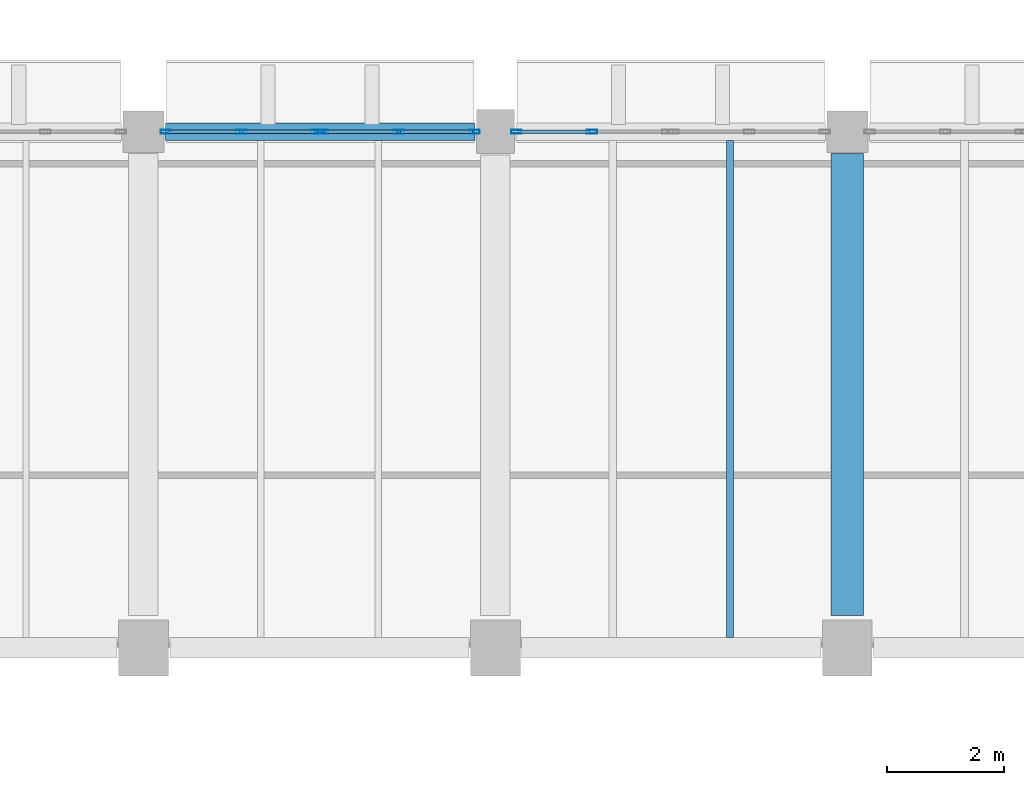
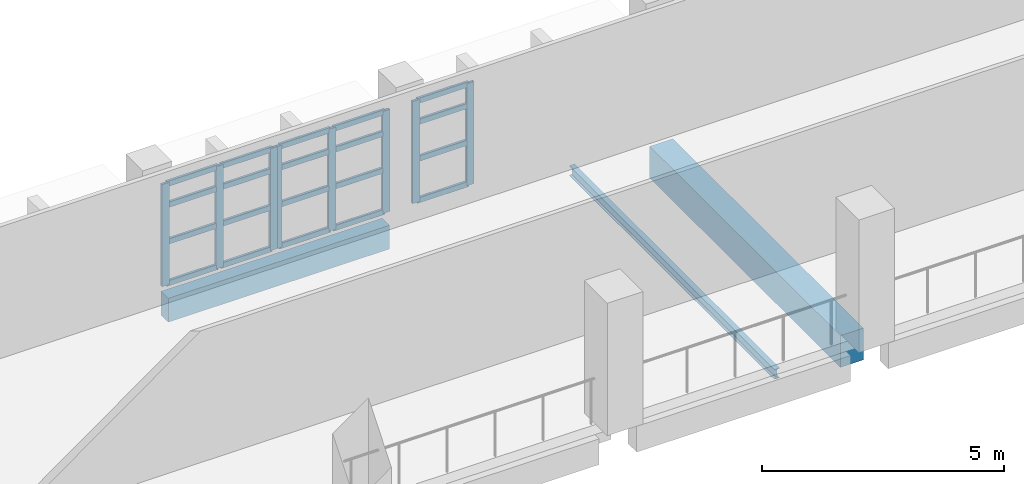
# One storey, part 38 of 75: 28 members, 3 beams, 3 elements without a shape of their own.
"""IFC4 building model written with IfcOpenShell, lengths in metres."""

from ifc_helpers import new_model, si_unit, direction, frame, origin, origin_2d, place, context, subcontext, project, spatial, rectangle, hollow_rectangle, i_section, extrude, material, material_profile, profile_set, type_object, element, aggregate, save


model = new_model("IFC4")

# Units and contexts
model_context = context("Model", 3, precision=1e-05, world=origin(), true_north=direction((0.0, 1.0)))
body_context = subcontext(model_context, "Body", "Model", "MODEL_VIEW")
ifc_project = project(units=[si_unit("LENGTHUNIT", "METRE"), si_unit("AREAUNIT", "SQUARE_METRE"), si_unit("VOLUMEUNIT", "CUBIC_METRE"), si_unit("PLANEANGLEUNIT", "RADIAN"), si_unit("MASSUNIT", "GRAM", prefix="KILO")], contexts=[model_context])

# Site, building, storey
site_placement = place(None, origin())
site = spatial("IfcSite", under=ifc_project, at=site_placement, CompositionType="ELEMENT")
building_placement = place(site_placement, origin())
building = spatial("IfcBuilding", under=site, at=building_placement, Name="Varnakota Cinema and Media Centre", CompositionType="ELEMENT")
storey_placement = place(building_placement, frame((0.0, 0.0, 8.39990234375)))
storey = spatial("IfcBuildingStorey", under=building, at=storey_placement, Name="L02", CompositionType="ELEMENT", Elevation=8.39990234375)

# Beams
ifc_material_1 = material(Name="Concrete M35", Category="concrete")
ifc_material_profile_1 = material_profile(ifc_material_1, rectangle(XDim=0.550048828125, YDim=0.800048828125, at=origin_2d()), Name="RCB 550x800")
ifc_profile_set_1 = profile_set([ifc_material_profile_1], Name="Concrete M35")
beam_type_1 = type_object("IfcBeamType", Name="BM-RC-550x800", PredefinedType="BEAM", material=ifc_profile_set_1)
beam_1_placement = place(storey_placement, frame((123.0, 35.75, -0.64990234375), z_axis=(0.0, 1.0, 0.0), x_axis=(-1.0, 0.0, 0.0)))
element("IfcBeam", 1, at=beam_1_placement, inside=storey, type_object=beam_type_1, Name="L02 girder T/5-6", PredefinedType="BEAM", context=body_context, shape_type="SweptSolid", body=[
    extrude(rectangle(XDim=0.550048828125, YDim=0.800048828125, at=origin_2d()), origin(), (0.0, 0.0, 1.0), 7.875),
])
ifc_material_2 = material(Name="Concrete M35", Category="concrete")
ifc_material_profile_2 = material_profile(ifc_material_2, rectangle(XDim=0.300048828125, YDim=0.60009765625, at=origin_2d()), Name="RCB 300x600")
ifc_profile_set_2 = profile_set([ifc_material_profile_2], Name="Concrete M35")
beam_type_2 = type_object("IfcBeamType", Name="BM-SP-300x600", PredefinedType="SPANDREL", material=ifc_profile_set_2)
beam_2_placement = place(storey_placement, frame((111.375, 44.0, -0.5498046875), z_axis=(1.0, 0.0, 0.0), x_axis=(0.0, 1.0, 0.0)))
element("IfcBeam", 2, at=beam_2_placement, inside=storey, type_object=beam_type_2, Name="L02 girder R-S/6", PredefinedType="SPANDREL", context=body_context, shape_type="SweptSolid", body=[
    extrude(rectangle(XDim=0.300048828125, YDim=0.60009765625, at=origin_2d()), origin(), (0.0, 0.0, 1.0), 5.27490234375),
])
ifc_material_3 = material(Name="Structural steel Grade 350 (E350)", Category="steel")
ifc_material_profile_3 = material_profile(ifc_material_3, i_section(OverallWidth=0.125, OverallDepth=0.25, WebThickness=0.0068359375, FlangeThickness=0.012451171875, FilletRadius=0.012939453125, at=origin_2d()), Name="ISMB 250")
ifc_profile_set_3 = profile_set([ifc_material_profile_3], Name="Structural steel Grade 350 (E350)")
beam_type_3 = type_object("IfcBeamType", Name="BM-ST-ISMB250", PredefinedType="JOIST", material=ifc_profile_set_3)
beam_3_placement = place(storey_placement, frame((121.0, 35.375, -0.375), z_axis=(0.0, 1.0, 0.0), x_axis=(-1.0, 0.0, 0.0)))
element("IfcBeam", 3, at=beam_3_placement, inside=storey, type_object=beam_type_3, Name="L02 steel joist S-T/5-6 #2", PredefinedType="JOIST", context=body_context, shape_type="SweptSolid", body=[
    extrude(i_section(OverallWidth=0.125, OverallDepth=0.25, WebThickness=0.0068359375, FlangeThickness=0.012451171875, FilletRadius=0.012939453125, at=origin_2d()), origin(), (0.0, 0.0, 1.0), 8.47509765625),
])

# Curtain wall, members
ifc_material_4 = material(Name="Thermally broken anodised aluminium AW-6063", Category="aluminium")
curtain_wall_type = type_object("IfcCurtainWallType", Name="CW-STD-264x258", PredefinedType="USERDEFINED", material=ifc_material_4)
curtain_wall_1_placement = place(storey_placement, origin())
curtain_wall_1 = element("IfcCurtainWall", 4, at=curtain_wall_1_placement, inside=storey, type_object=curtain_wall_type, Name="L02 curtain wall CW-L02-V1-N-07-1", ObjectType="UNITISED CURTAIN WALL", PredefinedType="USERDEFINED")
ifc_material_5 = material(Name="Thermally broken anodised aluminium AW-6063", Category="aluminium")
ifc_material_profile_4 = material_profile(ifc_material_5, hollow_rectangle(XDim=0.06494140625, YDim=0.179931640625, WallThickness=0.00390625, InnerFilletRadius=0.00390625, OuterFilletRadius=0.008056640625, at=origin_2d()), Name="AL-MULLION 180x65x4")
ifc_profile_set_4 = profile_set([ifc_material_profile_4], Name="Thermally broken anodised aluminium AW-6063")
member_type_1 = type_object("IfcMemberType", Name="CWM-AL-180", PredefinedType="MULLION", material=ifc_profile_set_4)
member_1_placement = place(storey_placement, frame((111.382568359375, 44.0, 0.0), z_axis=(0.0, 0.0, 1.0), x_axis=(0.0, 1.0, 0.0)))
member_1 = element("IfcMember", 5, at=member_1_placement, type_object=member_type_1, Name="CW29 mullion 1", PredefinedType="MULLION", context=body_context, shape_type="SweptSolid", body=[
    extrude(hollow_rectangle(XDim=0.06494140625, YDim=0.179931640625, WallThickness=0.00390625, InnerFilletRadius=0.00390625, OuterFilletRadius=0.008056640625, at=origin_2d()), origin(), (0.0, 0.0, 1.0), 2.5751953125),
])
member_2_placement = place(storey_placement, frame((112.671142578125, 44.0, 0.0), z_axis=(0.0, 0.0, 1.0), x_axis=(0.0, 1.0, 0.0)))
member_2 = element("IfcMember", 6, at=member_2_placement, type_object=member_type_1, Name="CW29 mullion 2", PredefinedType="MULLION", context=body_context, shape_type="SweptSolid", body=[
    extrude(hollow_rectangle(XDim=0.06494140625, YDim=0.179931640625, WallThickness=0.00390625, InnerFilletRadius=0.00390625, OuterFilletRadius=0.008056640625, at=origin_2d()), origin(), (0.0, 0.0, 1.0), 2.5751953125),
])
member_3_placement = place(storey_placement, frame((113.9599609375, 44.0, 0.0), z_axis=(0.0, 0.0, 1.0), x_axis=(0.0, 1.0, 0.0)))
member_3 = element("IfcMember", 7, at=member_3_placement, type_object=member_type_1, Name="CW29 mullion 3", PredefinedType="MULLION", context=body_context, shape_type="SweptSolid", body=[
    extrude(hollow_rectangle(XDim=0.06494140625, YDim=0.179931640625, WallThickness=0.00390625, InnerFilletRadius=0.00390625, OuterFilletRadius=0.008056640625, at=origin_2d()), origin(), (0.0, 0.0, 1.0), 2.5751953125),
])

curtain_wall_2_placement = place(storey_placement, origin())
curtain_wall_2 = element("IfcCurtainWall", 8, at=curtain_wall_2_placement, inside=storey, type_object=curtain_wall_type, Name="L02 curtain wall CW-L02-V1-N-07-2", ObjectType="UNITISED CURTAIN WALL", PredefinedType="USERDEFINED")
member_4_placement = place(storey_placement, frame((114.06494140625, 44.0, 0.0), z_axis=(0.0, 0.0, 1.0), x_axis=(0.0, 1.0, 0.0)))
member_4 = element("IfcMember", 9, at=member_4_placement, type_object=member_type_1, Name="CW29 mullion 1", PredefinedType="MULLION", context=body_context, shape_type="SweptSolid", body=[
    extrude(hollow_rectangle(XDim=0.06494140625, YDim=0.179931640625, WallThickness=0.00390625, InnerFilletRadius=0.00390625, OuterFilletRadius=0.008056640625, at=origin_2d()), origin(), (0.0, 0.0, 1.0), 2.5751953125),
])
member_5_placement = place(storey_placement, frame((115.353759765625, 44.0, 0.0), z_axis=(0.0, 0.0, 1.0), x_axis=(0.0, 1.0, 0.0)))
member_5 = element("IfcMember", 10, at=member_5_placement, type_object=member_type_1, Name="CW29 mullion 2", PredefinedType="MULLION", context=body_context, shape_type="SweptSolid", body=[
    extrude(hollow_rectangle(XDim=0.06494140625, YDim=0.179931640625, WallThickness=0.00390625, InnerFilletRadius=0.00390625, OuterFilletRadius=0.008056640625, at=origin_2d()), origin(), (0.0, 0.0, 1.0), 2.5751953125),
])
member_6_placement = place(storey_placement, frame((116.642578125, 44.0, 0.0), z_axis=(0.0, 0.0, 1.0), x_axis=(0.0, 1.0, 0.0)))
member_6 = element("IfcMember", 11, at=member_6_placement, type_object=member_type_1, Name="CW29 mullion 3", PredefinedType="MULLION", context=body_context, shape_type="SweptSolid", body=[
    extrude(hollow_rectangle(XDim=0.06494140625, YDim=0.179931640625, WallThickness=0.00390625, InnerFilletRadius=0.00390625, OuterFilletRadius=0.008056640625, at=origin_2d()), origin(), (0.0, 0.0, 1.0), 2.5751953125),
])

curtain_wall_3_placement = place(storey_placement, origin())
curtain_wall_3 = element("IfcCurtainWall", 12, at=curtain_wall_3_placement, inside=storey, type_object=curtain_wall_type, Name="L02 curtain wall CW-L02-V1-N-08-1", ObjectType="UNITISED CURTAIN WALL", PredefinedType="USERDEFINED")
member_7_placement = place(storey_placement, frame((117.357421875, 44.0, 0.0), z_axis=(0.0, 0.0, 1.0), x_axis=(0.0, 1.0, 0.0)))
member_7 = element("IfcMember", 13, at=member_7_placement, type_object=member_type_1, Name="CW29 mullion 1", PredefinedType="MULLION", context=body_context, shape_type="SweptSolid", body=[
    extrude(hollow_rectangle(XDim=0.06494140625, YDim=0.179931640625, WallThickness=0.00390625, InnerFilletRadius=0.00390625, OuterFilletRadius=0.008056640625, at=origin_2d()), origin(), (0.0, 0.0, 1.0), 2.5751953125),
])
member_8_placement = place(storey_placement, frame((118.646240234375, 44.0, 0.0), z_axis=(0.0, 0.0, 1.0), x_axis=(0.0, 1.0, 0.0)))
member_8 = element("IfcMember", 14, at=member_8_placement, type_object=member_type_1, Name="CW29 mullion 2", PredefinedType="MULLION", context=body_context, shape_type="SweptSolid", body=[
    extrude(hollow_rectangle(XDim=0.06494140625, YDim=0.179931640625, WallThickness=0.00390625, InnerFilletRadius=0.00390625, OuterFilletRadius=0.008056640625, at=origin_2d()), origin(), (0.0, 0.0, 1.0), 2.5751953125),
])

# Member
ifc_material_6 = material(Name="Thermally broken anodised aluminium AW-6063", Category="aluminium")
ifc_material_profile_5 = material_profile(ifc_material_6, hollow_rectangle(XDim=0.06494140625, YDim=0.139892578125, WallThickness=0.00390625, InnerFilletRadius=0.00390625, OuterFilletRadius=0.008056640625, at=origin_2d()), Name="AL-TRANSOM 140x65x4")
ifc_profile_set_5 = profile_set([ifc_material_profile_5], Name="Thermally broken anodised aluminium AW-6063")
member_type_2 = type_object("IfcMemberType", Name="CWT-AL-140", PredefinedType="USERDEFINED", material=ifc_profile_set_5)
member_9_placement = place(storey_placement, frame((111.4150390625, 44.0, 0.03271484375), z_axis=(1.0, 0.0, 0.0), x_axis=(0.0, 1.0, 0.0)))
member_9 = element("IfcMember", 15, at=member_9_placement, type_object=member_type_2, Name="CW29 transom 1.1", ObjectType="TRANSOM", PredefinedType="USERDEFINED", context=body_context, shape_type="SweptSolid", body=[
    extrude(hollow_rectangle(XDim=0.06494140625, YDim=0.139892578125, WallThickness=0.00390625, InnerFilletRadius=0.00390625, OuterFilletRadius=0.008056640625, at=origin_2d()), origin(), (0.0, 0.0, 1.0), 1.2236328125),
])

member_10_placement = place(storey_placement, frame((111.4150390625, 44.0, 1.08154296875), z_axis=(1.0, 0.0, 0.0), x_axis=(0.0, 1.0, 0.0)))
member_10 = element("IfcMember", 16, at=member_10_placement, type_object=member_type_2, Name="CW29 transom 1.2", ObjectType="TRANSOM", PredefinedType="USERDEFINED", context=body_context, shape_type="SweptSolid", body=[
    extrude(hollow_rectangle(XDim=0.06494140625, YDim=0.139892578125, WallThickness=0.00390625, InnerFilletRadius=0.00390625, OuterFilletRadius=0.008056640625, at=origin_2d()), origin(), (0.0, 0.0, 1.0), 1.2236328125),
])

member_11_placement = place(storey_placement, frame((111.4150390625, 44.0, 2.008544921875), z_axis=(1.0, 0.0, 0.0), x_axis=(0.0, 1.0, 0.0)))
member_11 = element("IfcMember", 17, at=member_11_placement, type_object=member_type_2, Name="CW29 transom 1.3", ObjectType="TRANSOM", PredefinedType="USERDEFINED", context=body_context, shape_type="SweptSolid", body=[
    extrude(hollow_rectangle(XDim=0.06494140625, YDim=0.139892578125, WallThickness=0.00390625, InnerFilletRadius=0.00390625, OuterFilletRadius=0.008056640625, at=origin_2d()), origin(), (0.0, 0.0, 1.0), 1.2236328125),
])

member_12_placement = place(storey_placement, frame((111.4150390625, 44.0, 2.54248046875), z_axis=(1.0, 0.0, 0.0), x_axis=(0.0, 1.0, 0.0)))
member_12 = element("IfcMember", 18, at=member_12_placement, type_object=member_type_2, Name="CW29 transom 1.4", ObjectType="TRANSOM", PredefinedType="USERDEFINED", context=body_context, shape_type="SweptSolid", body=[
    extrude(hollow_rectangle(XDim=0.06494140625, YDim=0.139892578125, WallThickness=0.00390625, InnerFilletRadius=0.00390625, OuterFilletRadius=0.008056640625, at=origin_2d()), origin(), (0.0, 0.0, 1.0), 1.2236328125),
])

member_13_placement = place(storey_placement, frame((112.703857421875, 44.0, 0.03271484375), z_axis=(1.0, 0.0, 0.0), x_axis=(0.0, 1.0, 0.0)))
member_13 = element("IfcMember", 19, at=member_13_placement, type_object=member_type_2, Name="CW29 transom 2.1", ObjectType="TRANSOM", PredefinedType="USERDEFINED", context=body_context, shape_type="SweptSolid", body=[
    extrude(hollow_rectangle(XDim=0.06494140625, YDim=0.139892578125, WallThickness=0.00390625, InnerFilletRadius=0.00390625, OuterFilletRadius=0.008056640625, at=origin_2d()), origin(), (0.0, 0.0, 1.0), 1.2236328125),
])

member_14_placement = place(storey_placement, frame((112.703857421875, 44.0, 1.08154296875), z_axis=(1.0, 0.0, 0.0), x_axis=(0.0, 1.0, 0.0)))
member_14 = element("IfcMember", 20, at=member_14_placement, type_object=member_type_2, Name="CW29 transom 2.2", ObjectType="TRANSOM", PredefinedType="USERDEFINED", context=body_context, shape_type="SweptSolid", body=[
    extrude(hollow_rectangle(XDim=0.06494140625, YDim=0.139892578125, WallThickness=0.00390625, InnerFilletRadius=0.00390625, OuterFilletRadius=0.008056640625, at=origin_2d()), origin(), (0.0, 0.0, 1.0), 1.2236328125),
])

member_15_placement = place(storey_placement, frame((112.703857421875, 44.0, 2.008544921875), z_axis=(1.0, 0.0, 0.0), x_axis=(0.0, 1.0, 0.0)))
member_15 = element("IfcMember", 21, at=member_15_placement, type_object=member_type_2, Name="CW29 transom 2.3", ObjectType="TRANSOM", PredefinedType="USERDEFINED", context=body_context, shape_type="SweptSolid", body=[
    extrude(hollow_rectangle(XDim=0.06494140625, YDim=0.139892578125, WallThickness=0.00390625, InnerFilletRadius=0.00390625, OuterFilletRadius=0.008056640625, at=origin_2d()), origin(), (0.0, 0.0, 1.0), 1.2236328125),
])

member_16_placement = place(storey_placement, frame((112.703857421875, 44.0, 2.54248046875), z_axis=(1.0, 0.0, 0.0), x_axis=(0.0, 1.0, 0.0)))
member_16 = element("IfcMember", 22, at=member_16_placement, type_object=member_type_2, Name="CW29 transom 2.4", ObjectType="TRANSOM", PredefinedType="USERDEFINED", context=body_context, shape_type="SweptSolid", body=[
    extrude(hollow_rectangle(XDim=0.06494140625, YDim=0.139892578125, WallThickness=0.00390625, InnerFilletRadius=0.00390625, OuterFilletRadius=0.008056640625, at=origin_2d()), origin(), (0.0, 0.0, 1.0), 1.2236328125),
])

aggregate(curtain_wall_1, [member_1, member_2, member_3, member_9, member_10, member_11, member_12, member_13, member_14, member_15, member_16])

member_17_placement = place(storey_placement, frame((114.097412109375, 44.0, 0.03271484375), z_axis=(1.0, 0.0, 0.0), x_axis=(0.0, 1.0, 0.0)))
member_17 = element("IfcMember", 23, at=member_17_placement, type_object=member_type_2, Name="CW29 transom 1.1", ObjectType="TRANSOM", PredefinedType="USERDEFINED", context=body_context, shape_type="SweptSolid", body=[
    extrude(hollow_rectangle(XDim=0.06494140625, YDim=0.139892578125, WallThickness=0.00390625, InnerFilletRadius=0.00390625, OuterFilletRadius=0.008056640625, at=origin_2d()), origin(), (0.0, 0.0, 1.0), 1.223876953125),
])

member_18_placement = place(storey_placement, frame((114.097412109375, 44.0, 1.08154296875), z_axis=(1.0, 0.0, 0.0), x_axis=(0.0, 1.0, 0.0)))
member_18 = element("IfcMember", 24, at=member_18_placement, type_object=member_type_2, Name="CW29 transom 1.2", ObjectType="TRANSOM", PredefinedType="USERDEFINED", context=body_context, shape_type="SweptSolid", body=[
    extrude(hollow_rectangle(XDim=0.06494140625, YDim=0.139892578125, WallThickness=0.00390625, InnerFilletRadius=0.00390625, OuterFilletRadius=0.008056640625, at=origin_2d()), origin(), (0.0, 0.0, 1.0), 1.223876953125),
])

member_19_placement = place(storey_placement, frame((114.097412109375, 44.0, 2.008544921875), z_axis=(1.0, 0.0, 0.0), x_axis=(0.0, 1.0, 0.0)))
member_19 = element("IfcMember", 25, at=member_19_placement, type_object=member_type_2, Name="CW29 transom 1.3", ObjectType="TRANSOM", PredefinedType="USERDEFINED", context=body_context, shape_type="SweptSolid", body=[
    extrude(hollow_rectangle(XDim=0.06494140625, YDim=0.139892578125, WallThickness=0.00390625, InnerFilletRadius=0.00390625, OuterFilletRadius=0.008056640625, at=origin_2d()), origin(), (0.0, 0.0, 1.0), 1.223876953125),
])

member_20_placement = place(storey_placement, frame((114.097412109375, 44.0, 2.54248046875), z_axis=(1.0, 0.0, 0.0), x_axis=(0.0, 1.0, 0.0)))
member_20 = element("IfcMember", 26, at=member_20_placement, type_object=member_type_2, Name="CW29 transom 1.4", ObjectType="TRANSOM", PredefinedType="USERDEFINED", context=body_context, shape_type="SweptSolid", body=[
    extrude(hollow_rectangle(XDim=0.06494140625, YDim=0.139892578125, WallThickness=0.00390625, InnerFilletRadius=0.00390625, OuterFilletRadius=0.008056640625, at=origin_2d()), origin(), (0.0, 0.0, 1.0), 1.223876953125),
])

member_21_placement = place(storey_placement, frame((115.38623046875, 44.0, 0.03271484375), z_axis=(1.0, 0.0, 0.0), x_axis=(0.0, 1.0, 0.0)))
member_21 = element("IfcMember", 27, at=member_21_placement, type_object=member_type_2, Name="CW29 transom 2.1", ObjectType="TRANSOM", PredefinedType="USERDEFINED", context=body_context, shape_type="SweptSolid", body=[
    extrude(hollow_rectangle(XDim=0.06494140625, YDim=0.139892578125, WallThickness=0.00390625, InnerFilletRadius=0.00390625, OuterFilletRadius=0.008056640625, at=origin_2d()), origin(), (0.0, 0.0, 1.0), 1.223876953125),
])

member_22_placement = place(storey_placement, frame((115.38623046875, 44.0, 1.08154296875), z_axis=(1.0, 0.0, 0.0), x_axis=(0.0, 1.0, 0.0)))
member_22 = element("IfcMember", 28, at=member_22_placement, type_object=member_type_2, Name="CW29 transom 2.2", ObjectType="TRANSOM", PredefinedType="USERDEFINED", context=body_context, shape_type="SweptSolid", body=[
    extrude(hollow_rectangle(XDim=0.06494140625, YDim=0.139892578125, WallThickness=0.00390625, InnerFilletRadius=0.00390625, OuterFilletRadius=0.008056640625, at=origin_2d()), origin(), (0.0, 0.0, 1.0), 1.223876953125),
])

member_23_placement = place(storey_placement, frame((115.38623046875, 44.0, 2.008544921875), z_axis=(1.0, 0.0, 0.0), x_axis=(0.0, 1.0, 0.0)))
member_23 = element("IfcMember", 29, at=member_23_placement, type_object=member_type_2, Name="CW29 transom 2.3", ObjectType="TRANSOM", PredefinedType="USERDEFINED", context=body_context, shape_type="SweptSolid", body=[
    extrude(hollow_rectangle(XDim=0.06494140625, YDim=0.139892578125, WallThickness=0.00390625, InnerFilletRadius=0.00390625, OuterFilletRadius=0.008056640625, at=origin_2d()), origin(), (0.0, 0.0, 1.0), 1.223876953125),
])

member_24_placement = place(storey_placement, frame((115.38623046875, 44.0, 2.54248046875), z_axis=(1.0, 0.0, 0.0), x_axis=(0.0, 1.0, 0.0)))
member_24 = element("IfcMember", 30, at=member_24_placement, type_object=member_type_2, Name="CW29 transom 2.4", ObjectType="TRANSOM", PredefinedType="USERDEFINED", context=body_context, shape_type="SweptSolid", body=[
    extrude(hollow_rectangle(XDim=0.06494140625, YDim=0.139892578125, WallThickness=0.00390625, InnerFilletRadius=0.00390625, OuterFilletRadius=0.008056640625, at=origin_2d()), origin(), (0.0, 0.0, 1.0), 1.223876953125),
])

aggregate(curtain_wall_2, [member_4, member_5, member_6, member_17, member_18, member_19, member_20, member_21, member_22, member_23, member_24])

member_25_placement = place(storey_placement, frame((117.389892578125, 44.0, 0.03271484375), z_axis=(1.0, 0.0, 0.0), x_axis=(0.0, 1.0, 0.0)))
member_25 = element("IfcMember", 31, at=member_25_placement, type_object=member_type_2, Name="CW29 transom 1.1", ObjectType="TRANSOM", PredefinedType="USERDEFINED", context=body_context, shape_type="SweptSolid", body=[
    extrude(hollow_rectangle(XDim=0.06494140625, YDim=0.139892578125, WallThickness=0.00390625, InnerFilletRadius=0.00390625, OuterFilletRadius=0.008056640625, at=origin_2d()), origin(), (0.0, 0.0, 1.0), 1.223876953125),
])

member_26_placement = place(storey_placement, frame((117.389892578125, 44.0, 1.08154296875), z_axis=(1.0, 0.0, 0.0), x_axis=(0.0, 1.0, 0.0)))
member_26 = element("IfcMember", 32, at=member_26_placement, type_object=member_type_2, Name="CW29 transom 1.2", ObjectType="TRANSOM", PredefinedType="USERDEFINED", context=body_context, shape_type="SweptSolid", body=[
    extrude(hollow_rectangle(XDim=0.06494140625, YDim=0.139892578125, WallThickness=0.00390625, InnerFilletRadius=0.00390625, OuterFilletRadius=0.008056640625, at=origin_2d()), origin(), (0.0, 0.0, 1.0), 1.223876953125),
])

member_27_placement = place(storey_placement, frame((117.389892578125, 44.0, 2.008544921875), z_axis=(1.0, 0.0, 0.0), x_axis=(0.0, 1.0, 0.0)))
member_27 = element("IfcMember", 33, at=member_27_placement, type_object=member_type_2, Name="CW29 transom 1.3", ObjectType="TRANSOM", PredefinedType="USERDEFINED", context=body_context, shape_type="SweptSolid", body=[
    extrude(hollow_rectangle(XDim=0.06494140625, YDim=0.139892578125, WallThickness=0.00390625, InnerFilletRadius=0.00390625, OuterFilletRadius=0.008056640625, at=origin_2d()), origin(), (0.0, 0.0, 1.0), 1.223876953125),
])

member_28_placement = place(storey_placement, frame((117.389892578125, 44.0, 2.54248046875), z_axis=(1.0, 0.0, 0.0), x_axis=(0.0, 1.0, 0.0)))
member_28 = element("IfcMember", 34, at=member_28_placement, type_object=member_type_2, Name="CW29 transom 1.4", ObjectType="TRANSOM", PredefinedType="USERDEFINED", context=body_context, shape_type="SweptSolid", body=[
    extrude(hollow_rectangle(XDim=0.06494140625, YDim=0.139892578125, WallThickness=0.00390625, InnerFilletRadius=0.00390625, OuterFilletRadius=0.008056640625, at=origin_2d()), origin(), (0.0, 0.0, 1.0), 1.223876953125),
])

aggregate(curtain_wall_3, [member_7, member_8, member_25, member_26, member_27, member_28])

save(model, "model.ifc")
